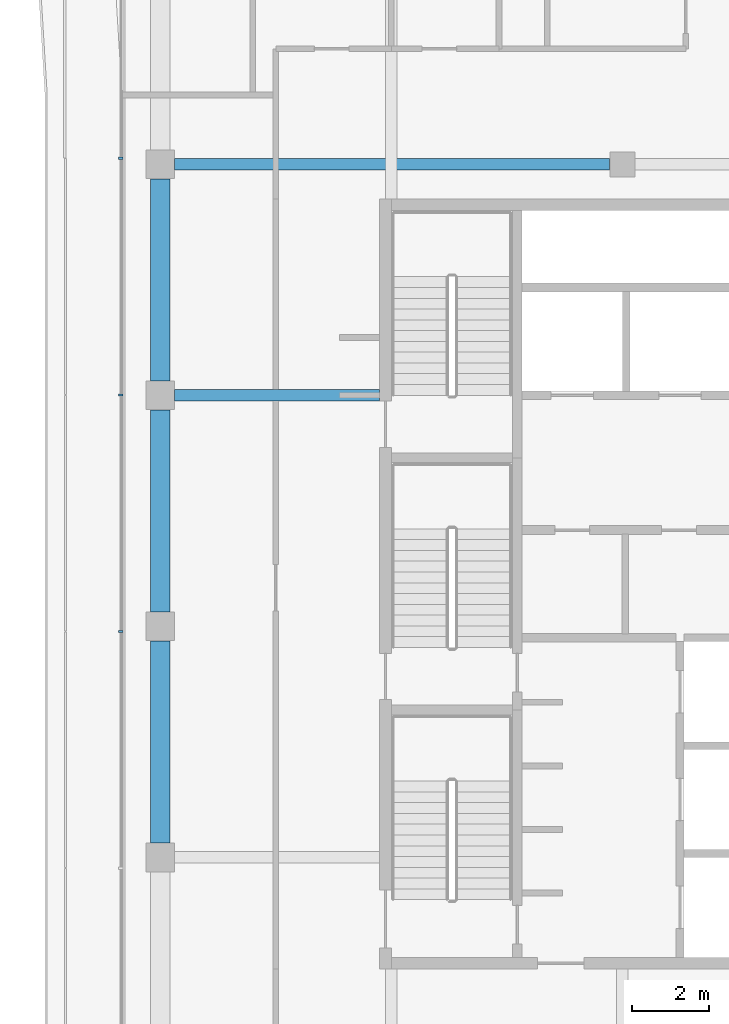
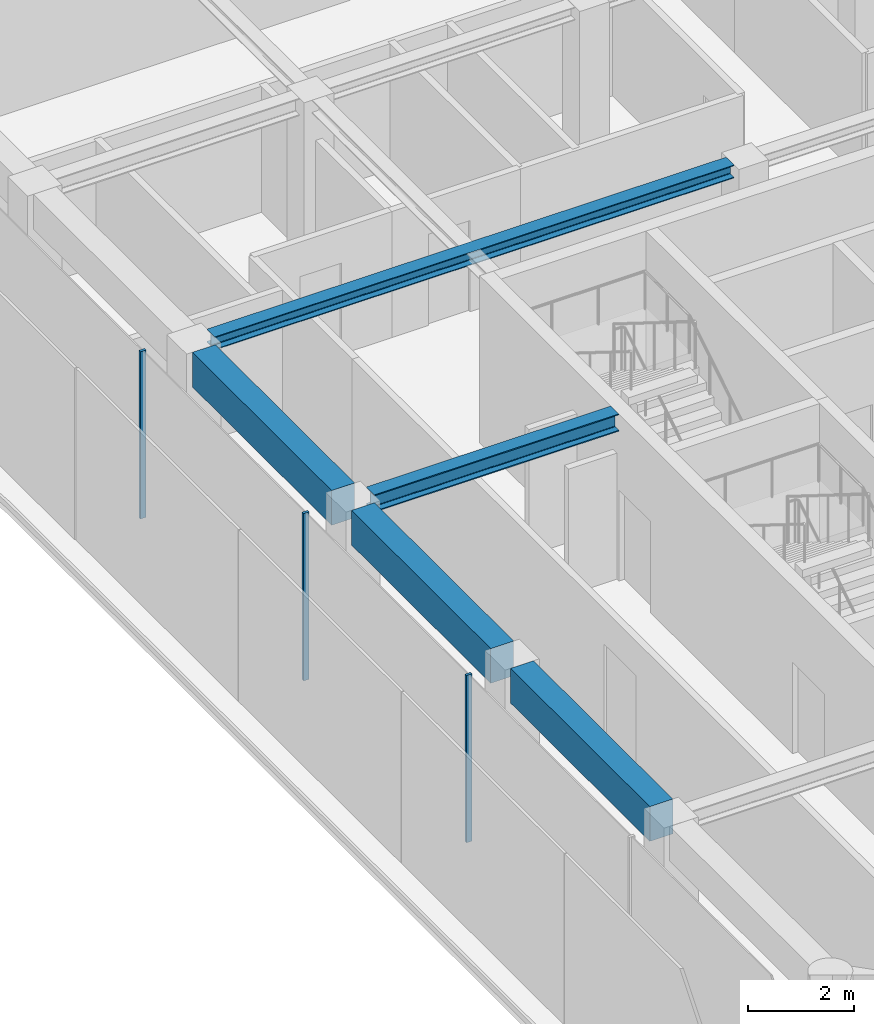
# One storey, part 4 of 21: 5 beams, 3 members, 1 element without a shape of its own.
"""IFC4 building model written with IfcOpenShell, lengths in metres."""

from ifc_helpers import new_model, si_unit, direction, frame, origin, origin_2d, place, context, subcontext, project, spatial, rectangle, i_section, extrude, material, layer, layer_set, material_profile, profile_set, type_object, element, aggregate, save


model = new_model("IFC4")

# Units and contexts
model_context = context("Model", 3, precision=1e-05, world=origin(), true_north=direction((0.0, 1.0)))
body_context = subcontext(model_context, "Body", "Model", "MODEL_VIEW")
ifc_project = project(units=[si_unit("LENGTHUNIT", "METRE"), si_unit("AREAUNIT", "SQUARE_METRE"), si_unit("VOLUMEUNIT", "CUBIC_METRE"), si_unit("PLANEANGLEUNIT", "RADIAN"), si_unit("MASSUNIT", "GRAM", prefix="KILO")], contexts=[model_context])

# Site, building, storey
site_placement = place(None, origin())
site = spatial("IfcSite", under=ifc_project, at=site_placement, CompositionType="ELEMENT")
building_placement = place(site_placement, origin())
building = spatial("IfcBuilding", under=site, at=building_placement, Name="Welwitschia Terrace Campus", CompositionType="ELEMENT")
storey_placement = place(building_placement, frame((0.0, 0.0, 302.0)))
storey = spatial("IfcBuildingStorey", under=building, at=storey_placement, Name="L67", CompositionType="ELEMENT", Elevation=302.0)

# Beam
ifc_material_1 = material(Name="Steel S355", Category="steel")
ifc_material_profile_1 = material_profile(ifc_material_1, i_section(OverallWidth=0.300048828125, OverallDepth=0.300048828125, WebThickness=0.010986328125, FlangeThickness=0.01904296875, FilletRadius=0.027099609375, at=origin_2d()))
ifc_profile_set_1 = profile_set([ifc_material_profile_1], Name="Steel S355")
beam_type_1 = type_object("IfcBeamType", Name="Interior girder HE 300 B", PredefinedType="BEAM", material=ifc_profile_set_1)
beam_1_placement = place(storey_placement, frame((0.365478515625, 26.0, 3.699951171875), z_axis=(1.0, 0.0, 0.0), x_axis=(0.0, 1.0, 0.0)))
element("IfcBeam", 1, at=beam_1_placement, inside=storey, type_object=beam_type_1, Name="Girder GB6", PredefinedType="BEAM", context=body_context, shape_type="SweptSolid", body=[
    extrude(i_section(OverallWidth=0.300048828125, OverallDepth=0.300048828125, WebThickness=0.010986328125, FlangeThickness=0.01904296875, FilletRadius=0.027099609375, at=origin_2d()), origin(), (0.0, 0.0, 1.0), 11.30908203125),
])

# Curtain wall, members
ifc_material_2 = material(Name="Bronze anodised aluminium", Category="aluminium")
ifc_layer = layer(ifc_material_2, 0.1201171875)
ifc_layer_set = layer_set([ifc_layer], Name="Bronze anodised aluminium")
curtain_wall_type = type_object("IfcCurtainWallType", Name="Curtain wall CW2 tower 6000", PredefinedType="NOTDEFINED", material=ifc_layer_set)
curtain_wall_placement = place(storey_placement, origin())
curtain_wall = element("IfcCurtainWall", 2, at=curtain_wall_placement, inside=storey, type_object=curtain_wall_type, Name="CW L67.8.0", PredefinedType="NOTDEFINED")
ifc_material_3 = material(Name="Bronze anodised aluminium", Category="aluminium")
ifc_material_profile_2 = material_profile(ifc_material_3, rectangle(XDim=0.1201171875, YDim=0.06005859375, at=origin_2d()))
ifc_profile_set_2 = profile_set([ifc_material_profile_2], Name="Bronze anodised aluminium")
member_type = type_object("IfcMemberType", Name="Mullion 60x120", PredefinedType="MULLION", material=ifc_profile_set_2)
member_1_placement = place(storey_placement, frame((-1.030029296875, 26.156005859375, 0.0), z_axis=(0.0, 0.0, 1.0), x_axis=(1.0, 0.0, 0.0)))
member_1 = element("IfcMember", 3, at=member_1_placement, type_object=member_type, Name="Mullion L67.8.0.6", PredefinedType="MULLION", context=body_context, shape_type="SweptSolid", body=[
    extrude(rectangle(XDim=0.1201171875, YDim=0.06005859375, at=origin_2d()), origin(), (0.0, 0.0, 1.0), 3.85009765625),
])
member_2_placement = place(storey_placement, frame((-1.030029296875, 20.01025390625, 0.0), z_axis=(0.0, 0.0, 1.0), x_axis=(1.0, 0.0, 0.0)))
member_2 = element("IfcMember", 4, at=member_2_placement, type_object=member_type, Name="Mullion L67.8.0.7", PredefinedType="MULLION", context=body_context, shape_type="SweptSolid", body=[
    extrude(rectangle(XDim=0.1201171875, YDim=0.06005859375, at=origin_2d()), origin(), (0.0, 0.0, 1.0), 3.85009765625),
])
member_3_placement = place(storey_placement, frame((-1.030029296875, 13.86474609375, 0.0), z_axis=(0.0, 0.0, 1.0), x_axis=(1.0, 0.0, 0.0)))
member_3 = element("IfcMember", 5, at=member_3_placement, type_object=member_type, Name="Mullion L67.8.0.8", PredefinedType="MULLION", context=body_context, shape_type="SweptSolid", body=[
    extrude(rectangle(XDim=0.1201171875, YDim=0.06005859375, at=origin_2d()), origin(), (0.0, 0.0, 1.0), 3.85009765625),
])
aggregate(curtain_wall, [member_1, member_2, member_3])

# Beams
ifc_material_4 = material(Name="Steel S355", Category="steel")
ifc_material_profile_3 = material_profile(ifc_material_4, i_section(OverallWidth=0.300048828125, OverallDepth=0.39990234375, WebThickness=0.013427734375, FlangeThickness=0.02392578125, FilletRadius=0.027099609375, at=origin_2d()))
ifc_profile_set_3 = profile_set([ifc_material_profile_3], Name="Steel S355")
beam_type_2 = type_object("IfcBeamType", Name="Primary beam HE 400 B", PredefinedType="BEAM", material=ifc_profile_set_3)
beam_2_placement = place(storey_placement, frame((0.37548828125, 20.0, 3.64990234375), z_axis=(1.0, 0.0, 0.0), x_axis=(0.0, 1.0, 0.0)))
element("IfcBeam", 6, at=beam_2_placement, inside=storey, type_object=beam_type_2, Name="Primary beam PB6", PredefinedType="BEAM", context=body_context, shape_type="SweptSolid", body=[
    extrude(i_section(OverallWidth=0.300048828125, OverallDepth=0.39990234375, WebThickness=0.013427734375, FlangeThickness=0.02392578125, FilletRadius=0.027099609375, at=origin_2d()), origin(), (0.0, 0.0, 1.0), 5.324462890625),
])
ifc_material_5 = material(Name="Concrete C50/60", Category="concrete")
ifc_material_profile_4 = material_profile(ifc_material_5, rectangle(XDim=0.5, YDim=0.800048828125, at=origin_2d()))
ifc_profile_set_4 = profile_set([ifc_material_profile_4], Name="Concrete C50/60")
beam_type_3 = type_object("IfcBeamType", Name="Ring spandrel 500x800", PredefinedType="SPANDREL", material=ifc_profile_set_4)
for number, where, z_axis, x_axis, name in (
    (7, (0.0, 25.62451171875, 3.449951171875), (0.0, -1.0, 0.0), (1.0, 0.0, 0.0), "Spandrel SP4"),
    (8, (0.0, 19.62451171875, 3.449951171875), (0.0, -1.0, 0.0), (1.0, 0.0, 0.0), "Spandrel SP4"),
    (9, (0.0, 13.62451171875, 3.449951171875), (0.0, -1.0, 0.0), (1.0, 0.0, 0.0), "Spandrel SP4"),
):
    element("IfcBeam", number, at=place(storey_placement, frame(where, z_axis=z_axis, x_axis=x_axis)), inside=storey, type_object=beam_type_3, Name=name, PredefinedType="SPANDREL", context=body_context, shape_type="SweptSolid", body=[
        extrude(rectangle(XDim=0.5, YDim=0.800048828125, at=origin_2d()), origin(), (0.0, 0.0, 1.0), 5.2490234375),
    ])

save(model, "model.ifc")
